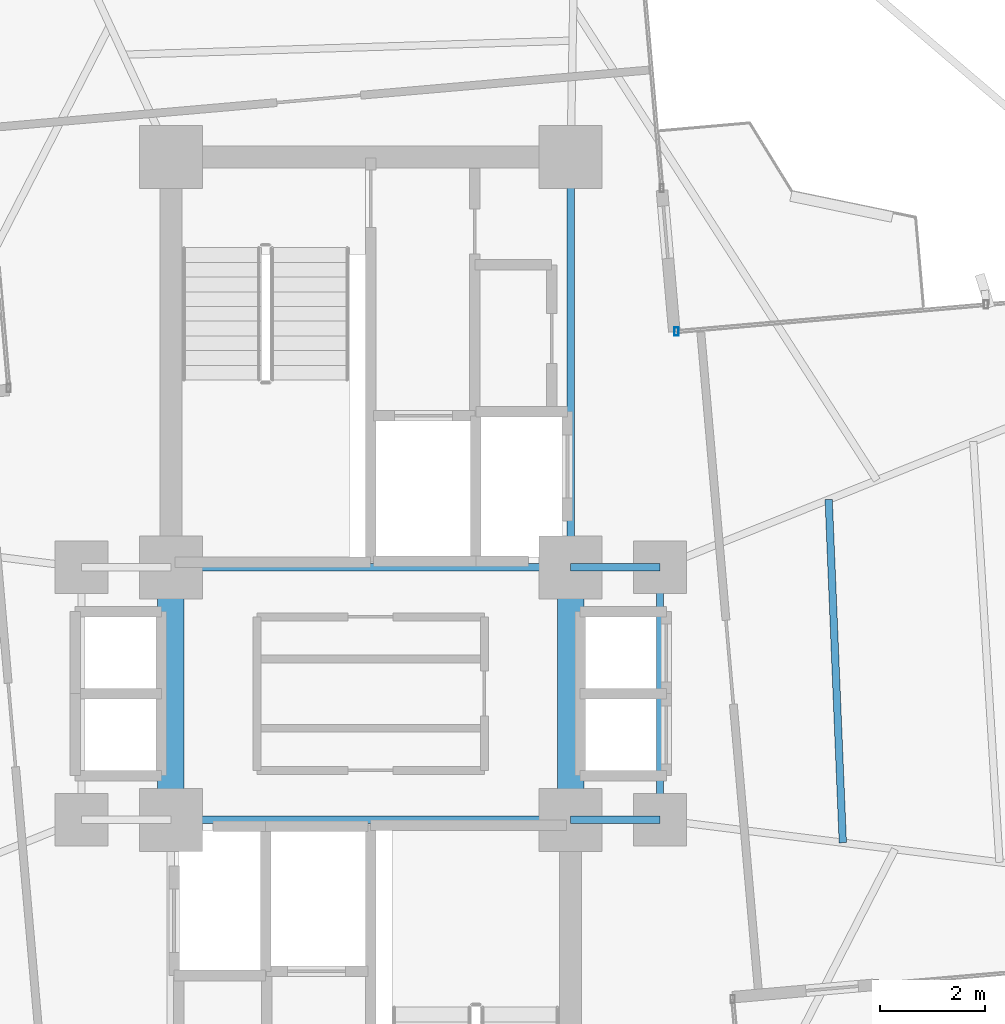
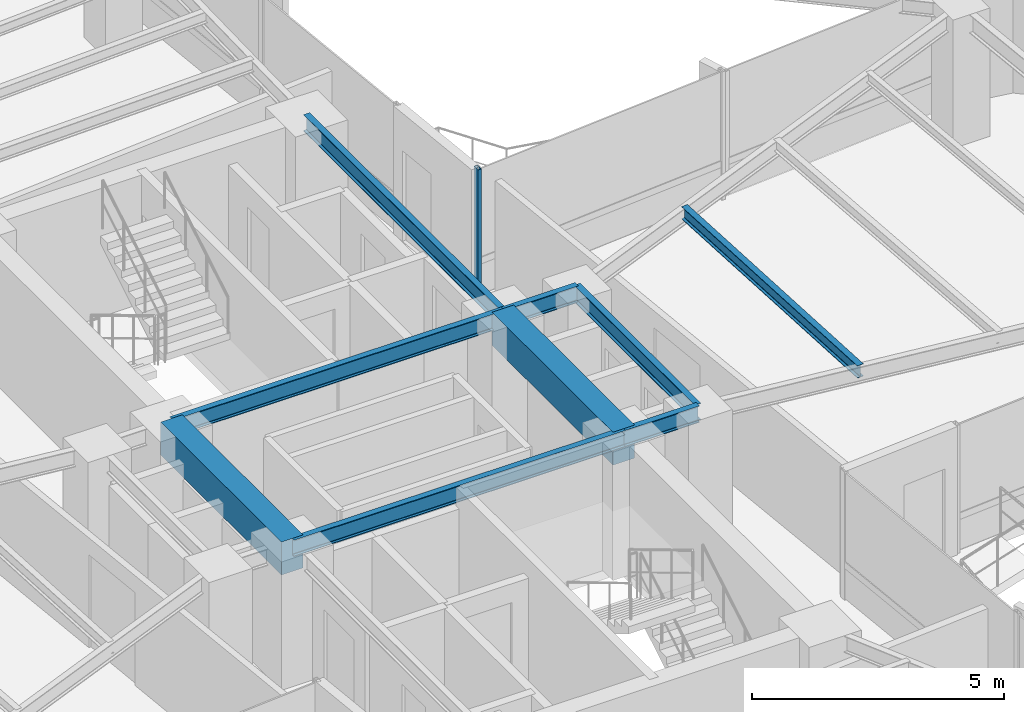
# One storey, part 11 of 24: 9 beams, 1 member, 1 element without a shape of its own.
"""IFC4 building model written with IfcOpenShell, lengths in metres."""

from ifc_helpers import new_model, si_unit, direction, frame, origin, origin_2d, place, context, subcontext, project, spatial, rectangle, hollow_rectangle, i_section, extrude, source, transform, mapped, material, material_profile, profile_set, type_object, element, aggregate, save


model = new_model("IFC4")

# Units and contexts
model_context = context("Model", 3, precision=1e-05, world=origin(), true_north=direction((0.0, 1.0)))
body_context = subcontext(model_context, "Body", "Model", "MODEL_VIEW")
ifc_project = project(units=[si_unit("LENGTHUNIT", "METRE"), si_unit("AREAUNIT", "SQUARE_METRE"), si_unit("VOLUMEUNIT", "CUBIC_METRE"), si_unit("PLANEANGLEUNIT", "RADIAN"), si_unit("MASSUNIT", "GRAM", prefix="KILO")], contexts=[model_context])

# Site, building, storey
site_placement = place(None, origin())
site = spatial("IfcSite", under=ifc_project, at=site_placement, CompositionType="ELEMENT")
building_placement = place(site_placement, origin())
building = spatial("IfcBuilding", under=site, at=building_placement, Name="Sahyath Konkavel Grand Hotel", CompositionType="ELEMENT")
storey_placement = place(building_placement, frame((0.0, 0.0, 185.25)))
storey = spatial("IfcBuildingStorey", under=building, at=storey_placement, Name="L51", CompositionType="ELEMENT", Elevation=185.25)

# Beams
ifc_material_1 = material(Name="Steel E350", Category="steel")
ifc_material_profile_1 = material_profile(ifc_material_1, i_section(OverallWidth=0.139892578125, OverallDepth=0.39990234375, WebThickness=0.0087890625, FlangeThickness=0.01611328125, FilletRadius=0.013916015625, at=origin_2d()), Name="ISMB 400")
ifc_profile_set_1 = profile_set([ifc_material_profile_1], Name="Steel E350")
beam_type_1 = type_object("IfcBeamType", Name="BM-ISMB400", PredefinedType="BEAM", material=ifc_profile_set_1)
shared_shape_1 = source(origin(), body_context, "Body", "SweptSolid", [
    extrude(i_section(OverallWidth=0.139892578125, OverallDepth=0.39990234375, WebThickness=0.0087890625, FlangeThickness=0.01611328125, FilletRadius=0.013916015625, at=origin_2d()), origin(), (0.0, 0.0, 1.0), 7.60009765625),
])
for number, where, z_axis, x_axis, name in (
    (1, (-3.800048828125, 2.39990234375, 2.909912109375), (1.0, 0.0, 0.0), (0.0, 1.0, 0.0), "str:bm:L51:NC-S"),
    (2, (-3.800048828125, -2.39990234375, 2.909912109375), (1.0, 0.0, 0.0), (0.0, 1.0, 0.0), "str:bm:L51:SC-N"),
):
    element("IfcBeam", number, at=place(storey_placement, frame(where, z_axis=z_axis, x_axis=x_axis)), inside=storey, type_object=beam_type_1, Name=name, PredefinedType="BEAM", context=body_context, shape_type="MappedRepresentation", body=[
        mapped(shared_shape_1, transform((0.0, 0.0, 0.0), scale=1.0)),
    ])
shared_shape_2 = source(origin(), body_context, "Body", "SweptSolid", [
    extrude(i_section(OverallWidth=0.139892578125, OverallDepth=0.39990234375, WebThickness=0.0087890625, FlangeThickness=0.01611328125, FilletRadius=0.013916015625, at=origin_2d()), origin(), (0.0, 0.0, 1.0), 7.800048828125),
])
beam_1_placement = place(storey_placement, frame((3.800048828125, 2.39990234375, 2.909912109375), z_axis=(0.0, 1.0, 0.0), x_axis=(-1.0, 0.0, 0.0)))
element("IfcBeam", 3, at=beam_1_placement, inside=storey, type_object=beam_type_1, Name="str:bm:L51:NC-E", PredefinedType="BEAM", context=body_context, shape_type="MappedRepresentation", body=[
    mapped(shared_shape_2, transform((0.0, 0.0, 0.0), scale=1.0)),
])
shared_shape_3 = source(origin(), body_context, "Body", "SweptSolid", [
    extrude(i_section(OverallWidth=0.139892578125, OverallDepth=0.39990234375, WebThickness=0.0087890625, FlangeThickness=0.01611328125, FilletRadius=0.013916015625, at=origin_2d()), origin(), (0.0, 0.0, 1.0), 1.699951171875),
])
for number, where, z_axis, x_axis, name in (
    (4, (3.800048828125, 2.39990234375, 2.909912109375), (1.0, 0.0, 0.0), (0.0, 1.0, 0.0), "str:bm:L51:HB-NE"),
    (5, (3.800048828125, -2.39990234375, 2.909912109375), (1.0, 0.0, 0.0), (0.0, 1.0, 0.0), "str:bm:L51:HB-SE"),
):
    element("IfcBeam", number, at=place(storey_placement, frame(where, z_axis=z_axis, x_axis=x_axis)), inside=storey, type_object=beam_type_1, Name=name, PredefinedType="BEAM", context=body_context, shape_type="MappedRepresentation", body=[
        mapped(shared_shape_3, transform((0.0, 0.0, 0.0), scale=1.0)),
    ])
shared_shape_4 = source(origin(), body_context, "Body", "SweptSolid", [
    extrude(i_section(OverallWidth=0.139892578125, OverallDepth=0.39990234375, WebThickness=0.0087890625, FlangeThickness=0.01611328125, FilletRadius=0.013916015625, at=origin_2d()), origin(), (0.0, 0.0, 1.0), 4.7998046875),
])
beam_2_placement = place(storey_placement, frame((5.5, -2.39990234375, 2.909912109375), z_axis=(0.0, 1.0, 0.0), x_axis=(-1.0, 0.0, 0.0)))
element("IfcBeam", 6, at=beam_2_placement, inside=storey, type_object=beam_type_1, Name="str:bm:L51:HB-E", PredefinedType="BEAM", context=body_context, shape_type="MappedRepresentation", body=[
    mapped(shared_shape_4, transform((0.0, 0.0, 0.0), scale=1.0)),
])
ifc_material_2 = material(Name="Concrete C50/60", Category="concrete")
ifc_material_profile_2 = material_profile(ifc_material_2, rectangle(XDim=0.5, YDim=0.800048828125, at=origin_2d()), Name="RC 500x800")
ifc_profile_set_2 = profile_set([ifc_material_profile_2], Name="Concrete C50/60")
beam_type_2 = type_object("IfcBeamType", Name="BM-CB500x800", PredefinedType="LINTEL", material=ifc_profile_set_2)
shared_shape_5 = source(origin(), body_context, "Body", "SweptSolid", [
    extrude(rectangle(XDim=0.5, YDim=0.800048828125, at=origin_2d()), origin(), (0.0, 0.0, 1.0), 4.7998046875),
])
for number, where, z_axis, x_axis, name in (
    (7, (-3.800048828125, -2.39990234375, 2.7099609375), (0.0, 1.0, 0.0), (-1.0, 0.0, 0.0), "L51 Split-Core Coupling Beam West"),
    (8, (3.800048828125, -2.39990234375, 2.7099609375), (0.0, 1.0, 0.0), (-1.0, 0.0, 0.0), "L51 Split-Core Coupling Beam East"),
):
    element("IfcBeam", number, at=place(storey_placement, frame(where, z_axis=z_axis, x_axis=x_axis)), inside=storey, type_object=beam_type_2, Name=name, PredefinedType="LINTEL", context=body_context, shape_type="MappedRepresentation", body=[
        mapped(shared_shape_5, transform((0.0, 0.0, 0.0), scale=1.0)),
    ])
ifc_material_profile_3 = material_profile(ifc_material_1, i_section(OverallWidth=0.139892578125, OverallDepth=0.300048828125, WebThickness=0.0078125, FlangeThickness=0.01318359375, FilletRadius=0.013916015625, at=origin_2d()), Name="ISMB 300")
ifc_profile_set_3 = profile_set([ifc_material_profile_3], Name="Steel E350")
beam_type_3 = type_object("IfcBeamType", Name="BM-ISMB300", PredefinedType="BEAM", material=ifc_profile_set_3)
shared_shape_6 = source(origin(), body_context, "Body", "SweptSolid", [
    extrude(i_section(OverallWidth=0.139892578125, OverallDepth=0.300048828125, WebThickness=0.0078125, FlangeThickness=0.01318359375, FilletRadius=0.013916015625, at=origin_2d()), origin(), (0.0, 0.0, 1.0), 6.530029296875),
])
beam_3_placement = place(storey_placement, frame((8.9755859375, -2.835205078125, 2.9599609375), z_axis=(-0.04112667768, 0.999153940283, 0.0), x_axis=(-0.999153940283, -0.04112667768, 0.0)))
element("IfcBeam", 9, at=beam_3_placement, inside=storey, type_object=beam_type_3, Name="L51 Secondary Floor Beam E-1", PredefinedType="BEAM", context=body_context, shape_type="MappedRepresentation", body=[
    mapped(shared_shape_6, transform((0.0, 0.0, 0.0), scale=1.0)),
])

# Curtain wall, member
ifc_material_3 = material(Name="Anodised Bronze Aluminium & Low-E Glazing", Category="aluminium")
curtain_wall_type = type_object("IfcCurtainWallType", Name="CW-ZONE3", PredefinedType="NOTDEFINED", material=ifc_material_3)
curtain_wall_placement = place(storey_placement, origin())
curtain_wall = element("IfcCurtainWall", 10, at=curtain_wall_placement, inside=storey, type_object=curtain_wall_type, Name="L51 Unitised Curtain Wall F7", PredefinedType="NOTDEFINED")
ifc_material_4 = material(Name="Anodised Bronze Aluminium", Category="aluminium")
ifc_material_profile_4 = material_profile(ifc_material_4, hollow_rectangle(XDim=0.080078125, YDim=0.159912109375, WallThickness=0.006103515625, at=origin_2d()), Name="RHS 160x80x6")
ifc_profile_set_4 = profile_set([ifc_material_profile_4], Name="Anodised Bronze Aluminium")
member_type = type_object("IfcMemberType", Name="CW-MUL-160", PredefinedType="MULLION", material=ifc_profile_set_4)
shared_shape_7 = source(origin(), body_context, "Body", "SweptSolid", [
    extrude(hollow_rectangle(XDim=0.080078125, YDim=0.159912109375, WallThickness=0.006103515625, at=origin_2d()), origin(), (0.0, 0.0, 1.0), 3.110107421875),
])
member_placement = place(storey_placement, frame((5.812255859375, 6.8828125, 0.0), z_axis=(0.0, 0.0, 1.0), x_axis=(1.0, 0.0, 0.0)))
member = element("IfcMember", 11, at=member_placement, type_object=member_type, Name="L51 Curtain Wall Mullion F7-2", PredefinedType="MULLION", context=body_context, shape_type="MappedRepresentation", body=[
    mapped(shared_shape_7, transform((0.0, 0.0, 0.0), scale=1.0)),
])
aggregate(curtain_wall, [member])

save(model, "model.ifc")
